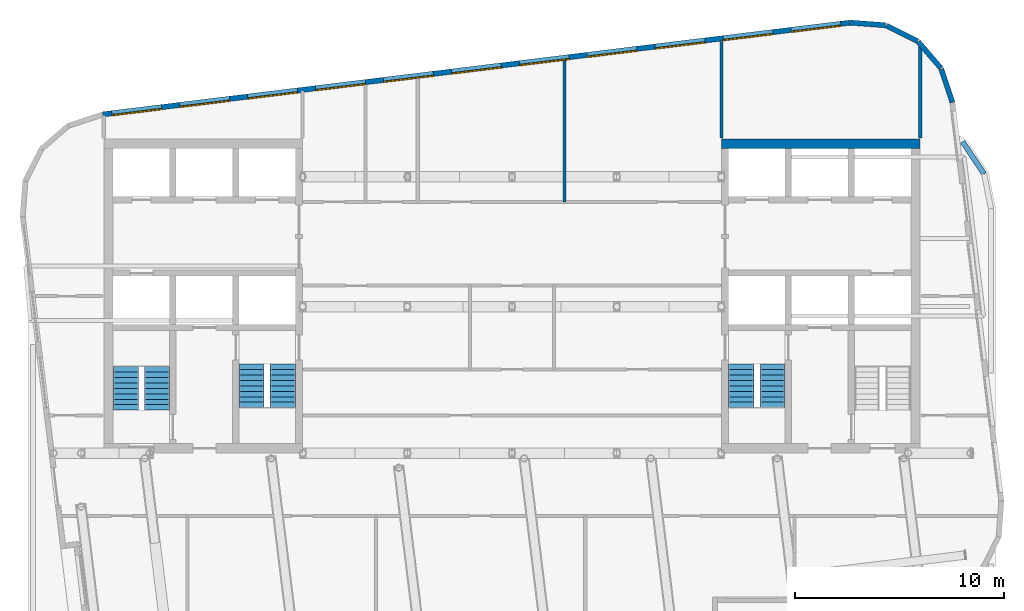
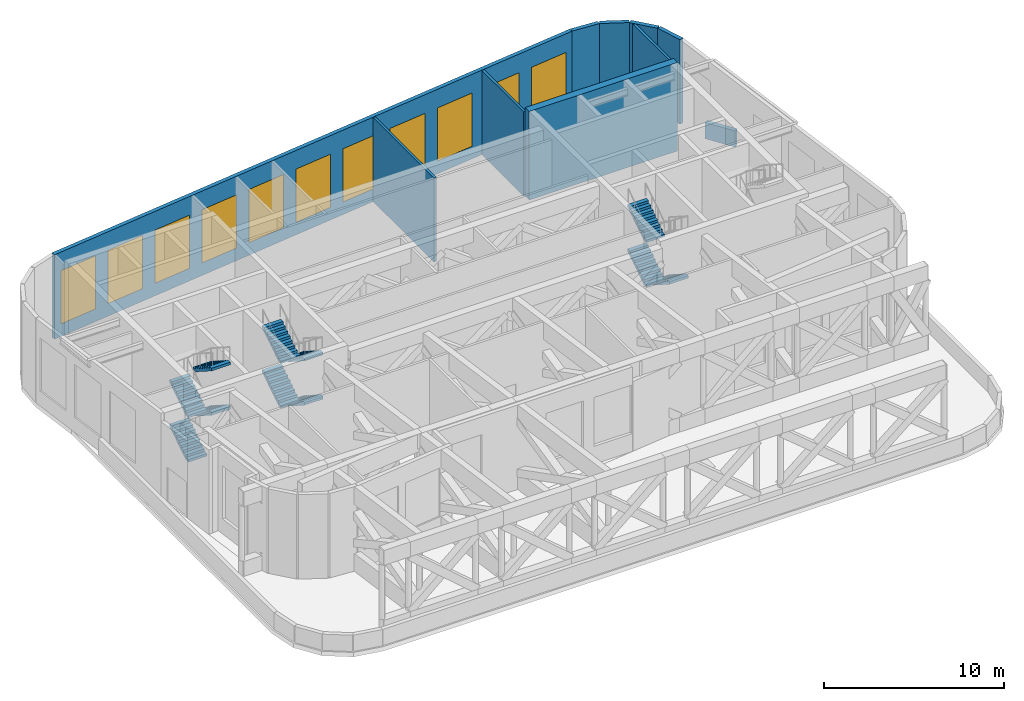
# One storey, part 13 of 16: 11 stair flights, 11 windows, 10 walls, 11 openings, 3 elements without a shape of their own.
"""IFC4 building model written with IfcOpenShell, lengths in metres."""

from ifc_helpers import new_model, si_unit, direction, frame, frame_2d, origin, place, context, subcontext, project, spatial, polyline, rectangle, outline, extrude, material, layer, layer_set, type_object, element, fill, aggregate, save


model = new_model("IFC4")

# Units and contexts
model_context = context("Model", 3, precision=1e-05, world=origin(), true_north=direction((0.0, 1.0)))
body_context = subcontext(model_context, "Body", "Model", "MODEL_VIEW")
ifc_project = project(units=[si_unit("LENGTHUNIT", "METRE"), si_unit("AREAUNIT", "SQUARE_METRE"), si_unit("VOLUMEUNIT", "CUBIC_METRE"), si_unit("PLANEANGLEUNIT", "RADIAN"), si_unit("MASSUNIT", "GRAM", prefix="KILO")], contexts=[model_context])

# Site, building, storey
site_placement = place(None, origin())
site = spatial("IfcSite", under=ifc_project, at=site_placement, CompositionType="ELEMENT")
building_placement = place(site_placement, origin())
building = spatial("IfcBuilding", under=site, at=building_placement, Name="Torana Hotel and Residences", CompositionType="ELEMENT")
storey_placement = place(building_placement, frame((0.0, 0.0, 308.60009765625)))
storey = spatial("IfcBuildingStorey", under=building, at=storey_placement, Name="L82", CompositionType="ELEMENT", Elevation=308.60009765625)

# Walls
ifc_material_1 = material(Name="Concrete C60/75", Category="concrete")
ifc_layer_1 = layer(ifc_material_1, 0.449951171875)
ifc_layer_set_1 = layer_set([ifc_layer_1], Name="CORE WALL 450 C60/75")
wall_type_1 = type_object("IfcWallType", Name="CORE WALL 450 C60/75", PredefinedType="SHEAR", material=ifc_layer_set_1)
wall_1_placement = place(storey_placement, frame((10.0, -0.22509765625, 0.0), z_axis=(0.0, 0.0, 1.0), x_axis=(1.0, 0.0, 0.0)))
element("IfcWall", 1, at=wall_1_placement, inside=storey, type_object=wall_type_1, Name="Core wall E rear", PredefinedType="SHEAR", context=body_context, shape_type="SweptSolid", body=[
    extrude(rectangle(XDim=9.5, YDim=0.449951171875, at=frame_2d((4.75, 0.0))), origin(), (0.0, 0.0, 1.0), 6.0),
])
ifc_material_2 = material(Name="Aluminium louvre wall", Category="aluminium")
ifc_layer_2 = layer(ifc_material_2, 0.25)
ifc_layer_set_2 = layer_set([ifc_layer_2], Name="EW3 LOUVRE WALL 250")
wall_type_2 = type_object("IfcWallType", Name="EW3 LOUVRE WALL 250", PredefinedType="SOLIDWALL", material=ifc_layer_set_2)
wall_2_placement = place(storey_placement, frame((21.035888671875, 1.754638671875, 0.0), z_axis=(0.0, 0.0, 1.0), x_axis=(-0.313046160822, 0.949737911844, 0.0)))
element("IfcWall", 2, at=wall_2_placement, inside=storey, type_object=wall_type_2, Name="Louvre wall L82 e0.0", PredefinedType="SOLIDWALL", context=body_context, shape_type="SweptSolid", body=[
    extrude(rectangle(XDim=1.681396484375, YDim=0.25, at=frame_2d((0.8408203125, 0.0))), origin(), (0.0, 0.0, 1.0), 5.719970703125),
])
for number, where, z_axis, x_axis, name in (
    (3, (20.4853515625, 3.39404296875, 0.0), (0.0, 0.0, 1.0), (-0.652755886531, 0.757568315466, 0.0), "Louvre wall L82 e0.1"),
    (4, (19.36572265625, 4.678955078125, 0.0), (0.0, 0.0, 1.0), (-0.893007580524, 0.450041621549, 0.0), "Louvre wall L82 e0.2"),
):
    element("IfcWall", number, at=place(storey_placement, frame(where, z_axis=z_axis, x_axis=x_axis)), inside=storey, type_object=wall_type_2, Name=name, PredefinedType="SOLIDWALL", context=body_context, shape_type="SweptSolid", body=[
        extrude(rectangle(XDim=1.65625, YDim=0.25, at=frame_2d((0.828125, 0.0))), origin(), (0.0, 0.0, 1.0), 5.719970703125),
    ])
wall_3_placement = place(storey_placement, frame((17.839599609375, 5.4375, 0.0), z_axis=(0.0, 0.0, 1.0), x_axis=(-0.997254267475, 0.074053534713, 0.0)))
element("IfcWall", 5, at=wall_3_placement, inside=storey, type_object=wall_type_2, Name="Louvre wall L82 e0.3", PredefinedType="SOLIDWALL", context=body_context, shape_type="SweptSolid", body=[
    extrude(rectangle(XDim=1.681396484375, YDim=0.25, at=frame_2d((0.8408203125, 0.0))), origin(), (0.0, 0.0, 1.0), 5.719970703125),
])

# Wall, openings, windows
wall_4_placement = place(storey_placement, frame((16.13818359375, 5.561279296875, 0.0), z_axis=(0.0, 0.0, 1.0), x_axis=(-0.992546726876, -0.121864658405, 0.0)))
wall_4 = element("IfcWall", 6, at=wall_4_placement, inside=storey, type_object=wall_type_2, Name="Louvre wall L82 e0.4", PredefinedType="SOLIDWALL", context=body_context, shape_type="SweptSolid", body=[
    extrude(rectangle(XDim=35.95068359375, YDim=0.25, at=frame_2d((17.975341796875, 0.0))), origin(), (0.0, 0.0, 1.0), 5.719970703125),
])
opening_1_placement = place(wall_4_placement, frame((0.43408203125, 0.0, 0.85791015625)))
opening_1 = element("IfcOpeningElement", 7, at=opening_1_placement, cuts=wall_4, Name="Opening LV2", PredefinedType="OPENING", context=body_context, shape_type="SweptSolid", body=[
    extrude(rectangle(XDim=2.39990234375, YDim=3.60009765625, at=frame_2d((1.199951171875, 1.800048828125))), frame((0.0, 0.135009765625, 0.0), z_axis=(0.0, -1.0, 0.0), x_axis=(1.0, 0.0, 0.0)), (0.0, 0.0, 1.0), 0.27001953125),
])
opening_2_placement = place(wall_4_placement, frame((3.702392578125, 0.0, 0.85791015625)))
opening_2 = element("IfcOpeningElement", 8, at=opening_2_placement, cuts=wall_4, Name="Opening LV2", PredefinedType="OPENING", context=body_context, shape_type="SweptSolid", body=[
    extrude(rectangle(XDim=2.39990234375, YDim=3.60009765625, at=frame_2d((1.199951171875, 1.800048828125))), frame((0.0, 0.135009765625, 0.0), z_axis=(0.0, -1.0, 0.0), x_axis=(1.0, 0.0, 0.0)), (0.0, 0.0, 1.0), 0.27001953125),
])
opening_3_placement = place(wall_4_placement, frame((6.970703125, 0.0, 0.85791015625)))
opening_3 = element("IfcOpeningElement", 9, at=opening_3_placement, cuts=wall_4, Name="Opening LV2", PredefinedType="OPENING", context=body_context, shape_type="SweptSolid", body=[
    extrude(rectangle(XDim=2.39990234375, YDim=3.60009765625, at=frame_2d((1.199951171875, 1.800048828125))), frame((0.0, 0.135009765625, 0.0), z_axis=(0.0, -1.0, 0.0), x_axis=(1.0, 0.0, 0.0)), (0.0, 0.0, 1.0), 0.27001953125),
])
opening_4_placement = place(wall_4_placement, frame((10.239013671875, 0.0, 0.85791015625)))
opening_4 = element("IfcOpeningElement", 10, at=opening_4_placement, cuts=wall_4, Name="Opening LV2", PredefinedType="OPENING", context=body_context, shape_type="SweptSolid", body=[
    extrude(rectangle(XDim=2.39990234375, YDim=3.60009765625, at=frame_2d((1.199951171875, 1.800048828125))), frame((0.0, 0.135009765625, 0.0), z_axis=(0.0, -1.0, 0.0), x_axis=(1.0, 0.0, 0.0)), (0.0, 0.0, 1.0), 0.27001953125),
])
opening_5_placement = place(wall_4_placement, frame((13.507080078125, 0.0, 0.85791015625)))
opening_5 = element("IfcOpeningElement", 11, at=opening_5_placement, cuts=wall_4, Name="Opening LV2", PredefinedType="OPENING", context=body_context, shape_type="SweptSolid", body=[
    extrude(rectangle(XDim=2.39990234375, YDim=3.60009765625, at=frame_2d((1.199951171875, 1.800048828125))), frame((0.0, 0.135009765625, 0.0), z_axis=(0.0, -1.0, 0.0), x_axis=(1.0, 0.0, 0.0)), (0.0, 0.0, 1.0), 0.27001953125),
])
opening_6_placement = place(wall_4_placement, frame((16.775390625, 0.0, 0.85791015625)))
opening_6 = element("IfcOpeningElement", 12, at=opening_6_placement, cuts=wall_4, Name="Opening LV2", PredefinedType="OPENING", context=body_context, shape_type="SweptSolid", body=[
    extrude(rectangle(XDim=2.39990234375, YDim=3.60009765625, at=frame_2d((1.199951171875, 1.800048828125))), frame((0.0, 0.135009765625, 0.0), z_axis=(0.0, -1.0, 0.0), x_axis=(1.0, 0.0, 0.0)), (0.0, 0.0, 1.0), 0.27001953125),
])
opening_7_placement = place(wall_4_placement, frame((20.043701171875, 0.0, 0.85791015625)))
opening_7 = element("IfcOpeningElement", 13, at=opening_7_placement, cuts=wall_4, Name="Opening LV2", PredefinedType="OPENING", context=body_context, shape_type="SweptSolid", body=[
    extrude(rectangle(XDim=2.39990234375, YDim=3.60009765625, at=frame_2d((1.199951171875, 1.800048828125))), frame((0.0, 0.135009765625, 0.0), z_axis=(0.0, -1.0, 0.0), x_axis=(1.0, 0.0, 0.0)), (0.0, 0.0, 1.0), 0.27001953125),
])
opening_8_placement = place(wall_4_placement, frame((23.31201171875, 0.0, 0.85791015625)))
opening_8 = element("IfcOpeningElement", 14, at=opening_8_placement, cuts=wall_4, Name="Opening LV2", PredefinedType="OPENING", context=body_context, shape_type="SweptSolid", body=[
    extrude(rectangle(XDim=2.39990234375, YDim=3.60009765625, at=frame_2d((1.199951171875, 1.800048828125))), frame((0.0, 0.135009765625, 0.0), z_axis=(0.0, -1.0, 0.0), x_axis=(1.0, 0.0, 0.0)), (0.0, 0.0, 1.0), 0.27001953125),
])
opening_9_placement = place(wall_4_placement, frame((26.580078125, 0.0, 0.85791015625)))
opening_9 = element("IfcOpeningElement", 15, at=opening_9_placement, cuts=wall_4, Name="Opening LV2", PredefinedType="OPENING", context=body_context, shape_type="SweptSolid", body=[
    extrude(rectangle(XDim=2.39990234375, YDim=3.60009765625, at=frame_2d((1.199951171875, 1.800048828125))), frame((0.0, 0.135009765625, 0.0), z_axis=(0.0, -1.0, 0.0), x_axis=(1.0, 0.0, 0.0)), (0.0, 0.0, 1.0), 0.27001953125),
])
opening_10_placement = place(wall_4_placement, frame((29.848388671875, 0.0, 0.85791015625)))
opening_10 = element("IfcOpeningElement", 16, at=opening_10_placement, cuts=wall_4, Name="Opening LV2", PredefinedType="OPENING", context=body_context, shape_type="SweptSolid", body=[
    extrude(rectangle(XDim=2.39990234375, YDim=3.60009765625, at=frame_2d((1.199951171875, 1.800048828125))), frame((0.0, 0.135009765625, 0.0), z_axis=(0.0, -1.0, 0.0), x_axis=(1.0, 0.0, 0.0)), (0.0, 0.0, 1.0), 0.27001953125),
])
opening_11_placement = place(wall_4_placement, frame((33.11669921875, 0.0, 0.85791015625)))
opening_11 = element("IfcOpeningElement", 17, at=opening_11_placement, cuts=wall_4, Name="Opening LV2", PredefinedType="OPENING", context=body_context, shape_type="SweptSolid", body=[
    extrude(rectangle(XDim=2.39990234375, YDim=3.60009765625, at=frame_2d((1.199951171875, 1.800048828125))), frame((0.0, 0.135009765625, 0.0), z_axis=(0.0, -1.0, 0.0), x_axis=(1.0, 0.0, 0.0)), (0.0, 0.0, 1.0), 0.27001953125),
])
ifc_material_3 = material(Name="Aluminium louvre blades", Category="aluminium")
window_type = type_object("IfcWindowType", Name="LV2 LOUVRE 2400x3600", PartitioningType="SINGLE_PANEL", PredefinedType="USERDEFINED", material=ifc_material_3)
window_1_placement = place(opening_1_placement, origin())
window_1 = element("IfcWindow", 18, at=window_1_placement, inside=storey, type_object=window_type, Name="Louvre L82", ObjectType="LOUVRE", OverallHeight=3.60009765625, OverallWidth=2.39990234375, PartitioningType="SINGLE_PANEL", PredefinedType="USERDEFINED", context=body_context, shape_type="SweptSolid", body=[
    extrude(rectangle(XDim=2.39990234375, YDim=3.60009765625, at=frame_2d((1.199951171875, 1.800048828125))), frame((0.0, 0.125, 0.0), z_axis=(0.0, -1.0, 0.0), x_axis=(1.0, 0.0, 0.0)), (0.0, 0.0, 1.0), 0.06005859375),
])
fill(opening_1, window_1)
window_2_placement = place(opening_2_placement, origin())
window_2 = element("IfcWindow", 19, at=window_2_placement, inside=storey, type_object=window_type, Name="Louvre L82", ObjectType="LOUVRE", OverallHeight=3.60009765625, OverallWidth=2.39990234375, PartitioningType="SINGLE_PANEL", PredefinedType="USERDEFINED", context=body_context, shape_type="SweptSolid", body=[
    extrude(rectangle(XDim=2.39990234375, YDim=3.60009765625, at=frame_2d((1.199951171875, 1.800048828125))), frame((0.0, 0.125, 0.0), z_axis=(0.0, -1.0, 0.0), x_axis=(1.0, 0.0, 0.0)), (0.0, 0.0, 1.0), 0.06005859375),
])
fill(opening_2, window_2)
window_3_placement = place(opening_3_placement, origin())
window_3 = element("IfcWindow", 20, at=window_3_placement, inside=storey, type_object=window_type, Name="Louvre L82", ObjectType="LOUVRE", OverallHeight=3.60009765625, OverallWidth=2.39990234375, PartitioningType="SINGLE_PANEL", PredefinedType="USERDEFINED", context=body_context, shape_type="SweptSolid", body=[
    extrude(rectangle(XDim=2.39990234375, YDim=3.60009765625, at=frame_2d((1.199951171875, 1.800048828125))), frame((0.0, 0.125, 0.0), z_axis=(0.0, -1.0, 0.0), x_axis=(1.0, 0.0, 0.0)), (0.0, 0.0, 1.0), 0.06005859375),
])
fill(opening_3, window_3)
window_4_placement = place(opening_4_placement, origin())
window_4 = element("IfcWindow", 21, at=window_4_placement, inside=storey, type_object=window_type, Name="Louvre L82", ObjectType="LOUVRE", OverallHeight=3.60009765625, OverallWidth=2.39990234375, PartitioningType="SINGLE_PANEL", PredefinedType="USERDEFINED", context=body_context, shape_type="SweptSolid", body=[
    extrude(rectangle(XDim=2.39990234375, YDim=3.60009765625, at=frame_2d((1.199951171875, 1.800048828125))), frame((0.0, 0.125, 0.0), z_axis=(0.0, -1.0, 0.0), x_axis=(1.0, 0.0, 0.0)), (0.0, 0.0, 1.0), 0.06005859375),
])
fill(opening_4, window_4)
window_5_placement = place(opening_5_placement, origin())
window_5 = element("IfcWindow", 22, at=window_5_placement, inside=storey, type_object=window_type, Name="Louvre L82", ObjectType="LOUVRE", OverallHeight=3.60009765625, OverallWidth=2.39990234375, PartitioningType="SINGLE_PANEL", PredefinedType="USERDEFINED", context=body_context, shape_type="SweptSolid", body=[
    extrude(rectangle(XDim=2.39990234375, YDim=3.60009765625, at=frame_2d((1.199951171875, 1.800048828125))), frame((0.0, 0.125, 0.0), z_axis=(0.0, -1.0, 0.0), x_axis=(1.0, 0.0, 0.0)), (0.0, 0.0, 1.0), 0.06005859375),
])
fill(opening_5, window_5)
window_6_placement = place(opening_6_placement, origin())
window_6 = element("IfcWindow", 23, at=window_6_placement, inside=storey, type_object=window_type, Name="Louvre L82", ObjectType="LOUVRE", OverallHeight=3.60009765625, OverallWidth=2.39990234375, PartitioningType="SINGLE_PANEL", PredefinedType="USERDEFINED", context=body_context, shape_type="SweptSolid", body=[
    extrude(rectangle(XDim=2.39990234375, YDim=3.60009765625, at=frame_2d((1.199951171875, 1.800048828125))), frame((0.0, 0.125, 0.0), z_axis=(0.0, -1.0, 0.0), x_axis=(1.0, 0.0, 0.0)), (0.0, 0.0, 1.0), 0.06005859375),
])
fill(opening_6, window_6)
window_7_placement = place(opening_7_placement, origin())
window_7 = element("IfcWindow", 24, at=window_7_placement, inside=storey, type_object=window_type, Name="Louvre L82", ObjectType="LOUVRE", OverallHeight=3.60009765625, OverallWidth=2.39990234375, PartitioningType="SINGLE_PANEL", PredefinedType="USERDEFINED", context=body_context, shape_type="SweptSolid", body=[
    extrude(rectangle(XDim=2.39990234375, YDim=3.60009765625, at=frame_2d((1.199951171875, 1.800048828125))), frame((0.0, 0.125, 0.0), z_axis=(0.0, -1.0, 0.0), x_axis=(1.0, 0.0, 0.0)), (0.0, 0.0, 1.0), 0.06005859375),
])
fill(opening_7, window_7)
window_8_placement = place(opening_8_placement, origin())
window_8 = element("IfcWindow", 25, at=window_8_placement, inside=storey, type_object=window_type, Name="Louvre L82", ObjectType="LOUVRE", OverallHeight=3.60009765625, OverallWidth=2.39990234375, PartitioningType="SINGLE_PANEL", PredefinedType="USERDEFINED", context=body_context, shape_type="SweptSolid", body=[
    extrude(rectangle(XDim=2.39990234375, YDim=3.60009765625, at=frame_2d((1.199951171875, 1.800048828125))), frame((0.0, 0.125, 0.0), z_axis=(0.0, -1.0, 0.0), x_axis=(1.0, 0.0, 0.0)), (0.0, 0.0, 1.0), 0.06005859375),
])
fill(opening_8, window_8)
window_9_placement = place(opening_9_placement, origin())
window_9 = element("IfcWindow", 26, at=window_9_placement, inside=storey, type_object=window_type, Name="Louvre L82", ObjectType="LOUVRE", OverallHeight=3.60009765625, OverallWidth=2.39990234375, PartitioningType="SINGLE_PANEL", PredefinedType="USERDEFINED", context=body_context, shape_type="SweptSolid", body=[
    extrude(rectangle(XDim=2.39990234375, YDim=3.60009765625, at=frame_2d((1.199951171875, 1.800048828125))), frame((0.0, 0.125, 0.0), z_axis=(0.0, -1.0, 0.0), x_axis=(1.0, 0.0, 0.0)), (0.0, 0.0, 1.0), 0.06005859375),
])
fill(opening_9, window_9)
window_10_placement = place(opening_10_placement, origin())
window_10 = element("IfcWindow", 27, at=window_10_placement, inside=storey, type_object=window_type, Name="Louvre L82", ObjectType="LOUVRE", OverallHeight=3.60009765625, OverallWidth=2.39990234375, PartitioningType="SINGLE_PANEL", PredefinedType="USERDEFINED", context=body_context, shape_type="SweptSolid", body=[
    extrude(rectangle(XDim=2.39990234375, YDim=3.60009765625, at=frame_2d((1.199951171875, 1.800048828125))), frame((0.0, 0.125, 0.0), z_axis=(0.0, -1.0, 0.0), x_axis=(1.0, 0.0, 0.0)), (0.0, 0.0, 1.0), 0.06005859375),
])
fill(opening_10, window_10)
window_11_placement = place(opening_11_placement, origin())
window_11 = element("IfcWindow", 28, at=window_11_placement, inside=storey, type_object=window_type, Name="Louvre L82", ObjectType="LOUVRE", OverallHeight=3.60009765625, OverallWidth=2.39990234375, PartitioningType="SINGLE_PANEL", PredefinedType="USERDEFINED", context=body_context, shape_type="SweptSolid", body=[
    extrude(rectangle(XDim=2.39990234375, YDim=3.60009765625, at=frame_2d((1.199951171875, 1.800048828125))), frame((0.0, 0.125, 0.0), z_axis=(0.0, -1.0, 0.0), x_axis=(1.0, 0.0, 0.0)), (0.0, 0.0, 1.0), 0.06005859375),
])
fill(opening_11, window_11)

# Walls
ifc_material_4 = material(Name="Gypsum plasterboard")
ifc_layer_3 = layer(ifc_material_4, 0.012451171875, Name="Plasterboard", Category="finish")
ifc_layer_4 = layer(ifc_material_4, 0.012451171875, Name="Plasterboard", Category="finish")
ifc_material_5 = material(Name="Steel S280GD", Category="steel")
ifc_layer_5 = layer(ifc_material_5, 0.10009765625, Name="Steel studs with mineral wool", Category="insulation")
ifc_layer_6 = layer(ifc_material_4, 0.012451171875, Name="Plasterboard", Category="finish")
ifc_layer_7 = layer(ifc_material_4, 0.012451171875, Name="Plasterboard", Category="finish")
ifc_layer_set_3 = layer_set([ifc_layer_3, ifc_layer_4, ifc_layer_5, ifc_layer_6, ifc_layer_7], Name="PARTITION 150 PLASTERBOARD")
wall_type_3 = type_object("IfcWallType", Name="PARTITION 150 PLASTERBOARD", PredefinedType="PARTITIONING", material=ifc_layer_set_3)
wall_5_placement = place(storey_placement, frame((19.5, 0.050048828125, 0.0), z_axis=(0.0, 0.0, 1.0), x_axis=(0.0, 1.0, 0.0)))
element("IfcWall", 29, at=wall_5_placement, inside=storey, type_object=wall_type_3, Name="Partition L82", PredefinedType="PARTITIONING", context=body_context, shape_type="SweptSolid", body=[
    extrude(rectangle(XDim=4.4033203125, YDim=0.14990234375, at=frame_2d((2.20166015625, 0.0))), origin(), (0.0, 0.0, 1.0), 5.699951171875),
])
wall_6_placement = place(storey_placement, frame((10.0, 0.050048828125, 0.0), z_axis=(0.0, 0.0, 1.0), x_axis=(0.0, 1.0, 0.0)))
element("IfcWall", 30, at=wall_6_placement, inside=storey, type_object=wall_type_3, Name="Partition L82", PredefinedType="PARTITIONING", context=body_context, shape_type="SweptSolid", body=[
    extrude(rectangle(XDim=4.61962890625, YDim=0.14990234375, at=frame_2d((2.309814453125, 0.0))), origin(), (0.0, 0.0, 1.0), 5.699951171875),
])
wall_7_placement = place(storey_placement, frame((2.5, -3.0, 0.0), z_axis=(0.0, 0.0, 1.0), x_axis=(0.0, 1.0, 0.0)))
element("IfcWall", 31, at=wall_7_placement, inside=storey, type_object=wall_type_3, Name="Partition L82", PredefinedType="PARTITIONING", context=body_context, shape_type="SweptSolid", body=[
    extrude(rectangle(XDim=6.748779296875, YDim=0.14990234375, at=frame_2d((3.37451171875, 0.0))), origin(), (0.0, 0.0, 1.0), 5.699951171875),
])
ifc_material_6 = material(Name="Aluminium coping with drip", Category="aluminium")
ifc_layer_8 = layer(ifc_material_6, 0.0029296875, Name="Coping flashing", Category="flashing")
ifc_material_7 = material(Name="Concrete C40/50 precast", Category="concrete")
ifc_layer_9 = layer(ifc_material_7, 0.00390625, Name="Cladding", Category="cladding")
ifc_material_8 = material(Name="Concrete C40/50", Category="concrete")
ifc_layer_10 = layer(ifc_material_8, 0.199951171875, Name="Wall", Category="structure")
ifc_material_9 = material(Name="Mineral wool insulation")
ifc_layer_11 = layer(ifc_material_9, 0.0400390625, Name="Insulation", Category="insulation")
ifc_material_10 = material(Name="Waterproofing upstand")
ifc_layer_12 = layer(ifc_material_10, 0.0029296875, Name="Upstand membrane", Category="membrane")
ifc_layer_set_4 = layer_set([ifc_layer_8, ifc_layer_9, ifc_layer_10, ifc_layer_11, ifc_layer_12], Name="PP1 PARAPET 250")
wall_type_4 = type_object("IfcWallType", Name="PP1 PARAPET 250", PredefinedType="PARAPET", material=ifc_layer_set_4)
wall_8_placement = place(storey_placement, frame((21.523193359375, -0.126708984375, 0.0), z_axis=(0.0, 0.0, 1.0), x_axis=(0.555583681008, -0.831460626486, 0.0)))
element("IfcWall", 32, at=wall_8_placement, inside=storey, type_object=wall_type_4, Name="Roof parapet L82 1", PredefinedType="PARAPET", context=body_context, shape_type="SweptSolid", body=[
    extrude(rectangle(XDim=1.8486328125, YDim=0.25, at=frame_2d((0.92431640625, 0.0))), origin(), (0.0, 0.0, 1.0), 1.099853515625),
])

# Stair, stair flights
ifc_material_11 = material(Name="Concrete C40/50 precast", Category="concrete")
stair_type_1 = type_object("IfcStairType", Name="STAIR ST1 HALF TURN 1200", PredefinedType="HALF_TURN_STAIR", material=ifc_material_11)
stair_1_placement = place(storey_placement, origin())
stair_1 = element("IfcStair", 33, at=stair_1_placement, inside=storey, type_object=stair_type_1, Name="Stair ST1 L82", PredefinedType="HALF_TURN_STAIR")
ifc_material_12 = material(Name="Concrete C40/50 precast", Category="concrete")
stair_flight_type = type_object("IfcStairFlightType", Name="STAIR FLIGHT 1200 PRECAST", PredefinedType="STRAIGHT", material=ifc_material_12)
stair_flight_1_placement = place(storey_placement, frame((-10.949951171875, -10.75, 0.0), z_axis=(0.0, 0.0, 1.0), x_axis=(0.0, -1.0, 0.0)))
stair_flight_1 = element("IfcStairFlight", 34, at=stair_flight_1_placement, type_object=stair_flight_type, Name="ST1 flight 1", NumberOfRisers=9, NumberOfTreads=8, PredefinedType="STRAIGHT", RiserHeight=0.166666667, TreadLength=0.26, context=body_context, shape_type="SweptSolid", body=[
    extrude(outline(polyline([(0.0, 0.0), (0.0, 0.166748046875), (0.260009765625, 0.166748046875), (0.260009765625, 0.333251953125), (0.52001953125, 0.333251953125), (0.52001953125, 0.5), (0.780029296875, 0.5), (0.780029296875, 0.666748046875), (1.0400390625, 0.666748046875), (1.0400390625, 0.833251953125), (1.300048828125, 0.833251953125), (1.300048828125, 1.0), (1.56005859375, 1.0), (1.56005859375, 1.166748046875), (1.820068359375, 1.166748046875), (1.820068359375, 1.333251953125), (2.080078125, 1.333251953125), (2.080078125, 1.5), (2.080078125, 1.1552734375), (0.27783203125, 0.0), (0.0, 0.0)])), frame((0.0, 0.60009765625, 0.0), z_axis=(0.0, -1.0, 0.0), x_axis=(1.0, 0.0, 0.0)), (0.0, 0.0, 1.0), 1.199951171875),
])
stair_flight_2_placement = place(storey_placement, frame((-12.449951171875, -12.830078125, 1.5), z_axis=(0.0, 0.0, 1.0), x_axis=(0.0, 1.0, 0.0)))
stair_flight_2 = element("IfcStairFlight", 35, at=stair_flight_2_placement, type_object=stair_flight_type, Name="ST1 flight 2", NumberOfRisers=9, NumberOfTreads=8, PredefinedType="STRAIGHT", RiserHeight=0.166666667, TreadLength=0.26, context=body_context, shape_type="SweptSolid", body=[
    extrude(outline(polyline([(0.0, 0.0), (0.0, 0.166748046875), (0.260009765625, 0.166748046875), (0.260009765625, 0.333251953125), (0.52001953125, 0.333251953125), (0.52001953125, 0.5), (0.780029296875, 0.5), (0.780029296875, 0.666748046875), (1.0400390625, 0.666748046875), (1.0400390625, 0.833251953125), (1.300048828125, 0.833251953125), (1.300048828125, 1.0), (1.56005859375, 1.0), (1.56005859375, 1.166748046875), (1.820068359375, 1.166748046875), (1.820068359375, 1.333251953125), (2.080078125, 1.333251953125), (2.080078125, 1.5), (2.080078125, 1.1552734375), (0.27783203125, 0.0), (0.0, 0.0)])), frame((0.0, 0.60009765625, 0.0), z_axis=(0.0, -1.0, 0.0), x_axis=(1.0, 0.0, 0.0)), (0.0, 0.0, 1.0), 1.199951171875),
])
stair_flight_3_placement = place(storey_placement, frame((-10.949951171875, -10.75, 3.0), z_axis=(0.0, 0.0, 1.0), x_axis=(0.0, -1.0, 0.0)))
stair_flight_3 = element("IfcStairFlight", 36, at=stair_flight_3_placement, type_object=stair_flight_type, Name="ST1 flight 3", NumberOfRisers=9, NumberOfTreads=8, PredefinedType="STRAIGHT", RiserHeight=0.166666667, TreadLength=0.26, context=body_context, shape_type="SweptSolid", body=[
    extrude(outline(polyline([(0.0, 0.0), (0.0, 0.166748046875), (0.260009765625, 0.166748046875), (0.260009765625, 0.333251953125), (0.52001953125, 0.333251953125), (0.52001953125, 0.5), (0.780029296875, 0.5), (0.780029296875, 0.666748046875), (1.0400390625, 0.666748046875), (1.0400390625, 0.833251953125), (1.300048828125, 0.833251953125), (1.300048828125, 1.0), (1.56005859375, 1.0), (1.56005859375, 1.166748046875), (1.820068359375, 1.166748046875), (1.820068359375, 1.333251953125), (2.080078125, 1.333251953125), (2.080078125, 1.5), (2.080078125, 1.1552734375), (0.27783203125, 0.0), (0.0, 0.0)])), frame((0.0, 0.60009765625, 0.0), z_axis=(0.0, -1.0, 0.0), x_axis=(1.0, 0.0, 0.0)), (0.0, 0.0, 1.0), 1.199951171875),
])
stair_flight_4_placement = place(storey_placement, frame((-12.449951171875, -12.830078125, 4.5), z_axis=(0.0, 0.0, 1.0), x_axis=(0.0, 1.0, 0.0)))
stair_flight_4 = element("IfcStairFlight", 37, at=stair_flight_4_placement, type_object=stair_flight_type, Name="ST1 flight 4", NumberOfRisers=9, NumberOfTreads=8, PredefinedType="STRAIGHT", RiserHeight=0.166666667, TreadLength=0.26, context=body_context, shape_type="SweptSolid", body=[
    extrude(outline(polyline([(0.0, 0.0), (0.0, 0.166748046875), (0.260009765625, 0.166748046875), (0.260009765625, 0.333251953125), (0.52001953125, 0.333251953125), (0.52001953125, 0.5), (0.780029296875, 0.5), (0.780029296875, 0.666748046875), (1.0400390625, 0.666748046875), (1.0400390625, 0.833251953125), (1.300048828125, 0.833251953125), (1.300048828125, 1.0), (1.56005859375, 1.0), (1.56005859375, 1.166748046875), (1.820068359375, 1.166748046875), (1.820068359375, 1.333251953125), (2.080078125, 1.333251953125), (2.080078125, 1.5), (2.080078125, 1.1552734375), (0.27783203125, 0.0), (0.0, 0.0)])), frame((0.0, 0.60009765625, 0.0), z_axis=(0.0, -1.0, 0.0), x_axis=(1.0, 0.0, 0.0)), (0.0, 0.0, 1.0), 1.199951171875),
])
aggregate(stair_1, [stair_flight_1, stair_flight_2, stair_flight_3, stair_flight_4])

ifc_material_13 = material(Name="Concrete C40/50 precast", Category="concrete")
stair_type_2 = type_object("IfcStairType", Name="STAIR ST2 HALF TURN 1200", PredefinedType="HALF_TURN_STAIR", material=ifc_material_13)
stair_2_placement = place(storey_placement, origin())
stair_2 = element("IfcStair", 38, at=stair_2_placement, inside=storey, type_object=stair_type_2, Name="Stair ST2 L82", PredefinedType="HALF_TURN_STAIR")
stair_flight_5_placement = place(storey_placement, frame((-18.449951171875, -12.949951171875, 0.0), z_axis=(0.0, 0.0, 1.0), x_axis=(0.0, 1.0, 0.0)))
stair_flight_5 = element("IfcStairFlight", 39, at=stair_flight_5_placement, type_object=stair_flight_type, Name="ST2 flight 1", NumberOfRisers=9, NumberOfTreads=8, PredefinedType="STRAIGHT", RiserHeight=0.166666667, TreadLength=0.26, context=body_context, shape_type="SweptSolid", body=[
    extrude(outline(polyline([(0.0, 0.0), (0.0, 0.166748046875), (0.260009765625, 0.166748046875), (0.260009765625, 0.333251953125), (0.52001953125, 0.333251953125), (0.52001953125, 0.5), (0.780029296875, 0.5), (0.780029296875, 0.666748046875), (1.0400390625, 0.666748046875), (1.0400390625, 0.833251953125), (1.300048828125, 0.833251953125), (1.300048828125, 1.0), (1.56005859375, 1.0), (1.56005859375, 1.166748046875), (1.820068359375, 1.166748046875), (1.820068359375, 1.333251953125), (2.080078125, 1.333251953125), (2.080078125, 1.5), (2.080078125, 1.1552734375), (0.27783203125, 0.0), (0.0, 0.0)])), frame((0.0, 0.60009765625, 0.0), z_axis=(0.0, -1.0, 0.0), x_axis=(1.0, 0.0, 0.0)), (0.0, 0.0, 1.0), 1.199951171875),
])
stair_flight_6_placement = place(storey_placement, frame((-16.949951171875, -10.8701171875, 1.5), z_axis=(0.0, 0.0, 1.0), x_axis=(0.0, -1.0, 0.0)))
stair_flight_6 = element("IfcStairFlight", 40, at=stair_flight_6_placement, type_object=stair_flight_type, Name="ST2 flight 2", NumberOfRisers=9, NumberOfTreads=8, PredefinedType="STRAIGHT", RiserHeight=0.166666667, TreadLength=0.26, context=body_context, shape_type="SweptSolid", body=[
    extrude(outline(polyline([(0.0, 0.0), (0.0, 0.166748046875), (0.260009765625, 0.166748046875), (0.260009765625, 0.333251953125), (0.52001953125, 0.333251953125), (0.52001953125, 0.5), (0.780029296875, 0.5), (0.780029296875, 0.666748046875), (1.0400390625, 0.666748046875), (1.0400390625, 0.833251953125), (1.300048828125, 0.833251953125), (1.300048828125, 1.0), (1.56005859375, 1.0), (1.56005859375, 1.166748046875), (1.820068359375, 1.166748046875), (1.820068359375, 1.333251953125), (2.080078125, 1.333251953125), (2.080078125, 1.5), (2.080078125, 1.1552734375), (0.27783203125, 0.0), (0.0, 0.0)])), frame((0.0, 0.60009765625, 0.0), z_axis=(0.0, -1.0, 0.0), x_axis=(1.0, 0.0, 0.0)), (0.0, 0.0, 1.0), 1.199951171875),
])
stair_flight_7_placement = place(storey_placement, frame((-18.449951171875, -12.949951171875, 3.0), z_axis=(0.0, 0.0, 1.0), x_axis=(0.0, 1.0, 0.0)))
stair_flight_7 = element("IfcStairFlight", 41, at=stair_flight_7_placement, type_object=stair_flight_type, Name="ST2 flight 3", NumberOfRisers=9, NumberOfTreads=8, PredefinedType="STRAIGHT", RiserHeight=0.166666667, TreadLength=0.26, context=body_context, shape_type="SweptSolid", body=[
    extrude(outline(polyline([(0.0, 0.0), (0.0, 0.166748046875), (0.260009765625, 0.166748046875), (0.260009765625, 0.333251953125), (0.52001953125, 0.333251953125), (0.52001953125, 0.5), (0.780029296875, 0.5), (0.780029296875, 0.666748046875), (1.0400390625, 0.666748046875), (1.0400390625, 0.833251953125), (1.300048828125, 0.833251953125), (1.300048828125, 1.0), (1.56005859375, 1.0), (1.56005859375, 1.166748046875), (1.820068359375, 1.166748046875), (1.820068359375, 1.333251953125), (2.080078125, 1.333251953125), (2.080078125, 1.5), (2.080078125, 1.1552734375), (0.27783203125, 0.0), (0.0, 0.0)])), frame((0.0, 0.60009765625, 0.0), z_axis=(0.0, -1.0, 0.0), x_axis=(1.0, 0.0, 0.0)), (0.0, 0.0, 1.0), 1.199951171875),
])
stair_flight_8_placement = place(storey_placement, frame((-16.949951171875, -10.8701171875, 4.5), z_axis=(0.0, 0.0, 1.0), x_axis=(0.0, -1.0, 0.0)))
stair_flight_8 = element("IfcStairFlight", 42, at=stair_flight_8_placement, type_object=stair_flight_type, Name="ST2 flight 4", NumberOfRisers=9, NumberOfTreads=8, PredefinedType="STRAIGHT", RiserHeight=0.166666667, TreadLength=0.26, context=body_context, shape_type="SweptSolid", body=[
    extrude(outline(polyline([(0.0, 0.0), (0.0, 0.166748046875), (0.260009765625, 0.166748046875), (0.260009765625, 0.333251953125), (0.52001953125, 0.333251953125), (0.52001953125, 0.5), (0.780029296875, 0.5), (0.780029296875, 0.666748046875), (1.0400390625, 0.666748046875), (1.0400390625, 0.833251953125), (1.300048828125, 0.833251953125), (1.300048828125, 1.0), (1.56005859375, 1.0), (1.56005859375, 1.166748046875), (1.820068359375, 1.166748046875), (1.820068359375, 1.333251953125), (2.080078125, 1.333251953125), (2.080078125, 1.5), (2.080078125, 1.1552734375), (0.27783203125, 0.0), (0.0, 0.0)])), frame((0.0, 0.60009765625, 0.0), z_axis=(0.0, -1.0, 0.0), x_axis=(1.0, 0.0, 0.0)), (0.0, 0.0, 1.0), 1.199951171875),
])
aggregate(stair_2, [stair_flight_5, stair_flight_6, stair_flight_7, stair_flight_8])

ifc_material_14 = material(Name="Concrete C40/50 precast", Category="concrete")
stair_type_3 = type_object("IfcStairType", Name="STAIR ST3 HALF TURN 1200", PredefinedType="HALF_TURN_STAIR", material=ifc_material_14)
stair_3_placement = place(storey_placement, origin())
stair_3 = element("IfcStair", 43, at=stair_3_placement, inside=storey, type_object=stair_type_3, Name="Stair ST3 L82", PredefinedType="HALF_TURN_STAIR")
stair_flight_9_placement = place(storey_placement, frame((12.449951171875, -10.75, 0.0), z_axis=(0.0, 0.0, 1.0), x_axis=(0.0, -1.0, 0.0)))
stair_flight_9 = element("IfcStairFlight", 44, at=stair_flight_9_placement, type_object=stair_flight_type, Name="ST3 flight 1", NumberOfRisers=9, NumberOfTreads=8, PredefinedType="STRAIGHT", RiserHeight=0.166666667, TreadLength=0.26, context=body_context, shape_type="SweptSolid", body=[
    extrude(outline(polyline([(0.0, 0.0), (0.0, 0.166748046875), (0.260009765625, 0.166748046875), (0.260009765625, 0.333251953125), (0.52001953125, 0.333251953125), (0.52001953125, 0.5), (0.780029296875, 0.5), (0.780029296875, 0.666748046875), (1.0400390625, 0.666748046875), (1.0400390625, 0.833251953125), (1.300048828125, 0.833251953125), (1.300048828125, 1.0), (1.56005859375, 1.0), (1.56005859375, 1.166748046875), (1.820068359375, 1.166748046875), (1.820068359375, 1.333251953125), (2.080078125, 1.333251953125), (2.080078125, 1.5), (2.080078125, 1.1552734375), (0.27783203125, 0.0), (0.0, 0.0)])), frame((0.0, 0.60009765625, 0.0), z_axis=(0.0, -1.0, 0.0), x_axis=(1.0, 0.0, 0.0)), (0.0, 0.0, 1.0), 1.199951171875),
])
stair_flight_10_placement = place(storey_placement, frame((10.949951171875, -12.830078125, 1.5), z_axis=(0.0, 0.0, 1.0), x_axis=(0.0, 1.0, 0.0)))
stair_flight_10 = element("IfcStairFlight", 45, at=stair_flight_10_placement, type_object=stair_flight_type, Name="ST3 flight 2", NumberOfRisers=9, NumberOfTreads=8, PredefinedType="STRAIGHT", RiserHeight=0.166666667, TreadLength=0.26, context=body_context, shape_type="SweptSolid", body=[
    extrude(outline(polyline([(0.0, 0.0), (0.0, 0.166748046875), (0.260009765625, 0.166748046875), (0.260009765625, 0.333251953125), (0.52001953125, 0.333251953125), (0.52001953125, 0.5), (0.780029296875, 0.5), (0.780029296875, 0.666748046875), (1.0400390625, 0.666748046875), (1.0400390625, 0.833251953125), (1.300048828125, 0.833251953125), (1.300048828125, 1.0), (1.56005859375, 1.0), (1.56005859375, 1.166748046875), (1.820068359375, 1.166748046875), (1.820068359375, 1.333251953125), (2.080078125, 1.333251953125), (2.080078125, 1.5), (2.080078125, 1.1552734375), (0.27783203125, 0.0), (0.0, 0.0)])), frame((0.0, 0.60009765625, 0.0), z_axis=(0.0, -1.0, 0.0), x_axis=(1.0, 0.0, 0.0)), (0.0, 0.0, 1.0), 1.199951171875),
])
stair_flight_11_placement = place(storey_placement, frame((10.949951171875, -12.830078125, 4.5), z_axis=(0.0, 0.0, 1.0), x_axis=(0.0, 1.0, 0.0)))
stair_flight_11 = element("IfcStairFlight", 46, at=stair_flight_11_placement, type_object=stair_flight_type, Name="ST3 flight 4", NumberOfRisers=9, NumberOfTreads=8, PredefinedType="STRAIGHT", RiserHeight=0.166666667, TreadLength=0.26, context=body_context, shape_type="SweptSolid", body=[
    extrude(outline(polyline([(0.0, 0.0), (0.0, 0.166748046875), (0.260009765625, 0.166748046875), (0.260009765625, 0.333251953125), (0.52001953125, 0.333251953125), (0.52001953125, 0.5), (0.780029296875, 0.5), (0.780029296875, 0.666748046875), (1.0400390625, 0.666748046875), (1.0400390625, 0.833251953125), (1.300048828125, 0.833251953125), (1.300048828125, 1.0), (1.56005859375, 1.0), (1.56005859375, 1.166748046875), (1.820068359375, 1.166748046875), (1.820068359375, 1.333251953125), (2.080078125, 1.333251953125), (2.080078125, 1.5), (2.080078125, 1.1552734375), (0.27783203125, 0.0), (0.0, 0.0)])), frame((0.0, 0.60009765625, 0.0), z_axis=(0.0, -1.0, 0.0), x_axis=(1.0, 0.0, 0.0)), (0.0, 0.0, 1.0), 1.199951171875),
])
aggregate(stair_3, [stair_flight_9, stair_flight_10, stair_flight_11])

save(model, "model.ifc")
